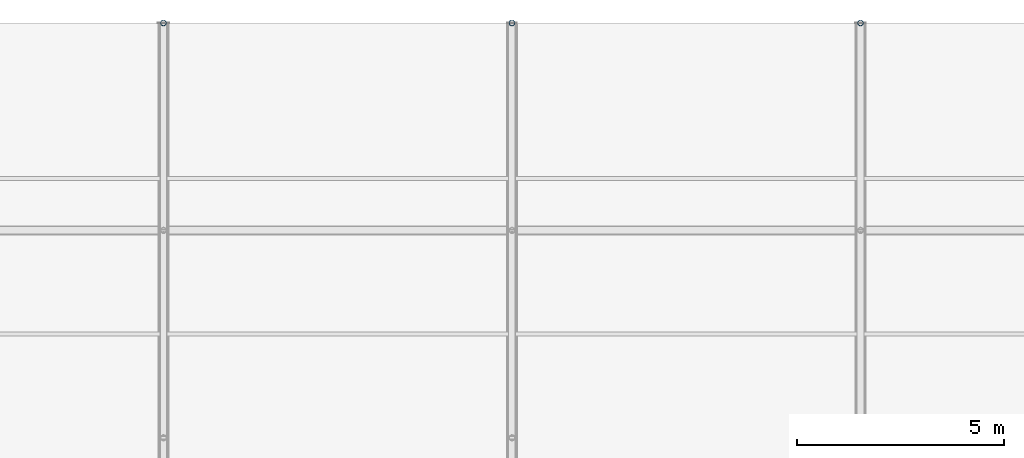
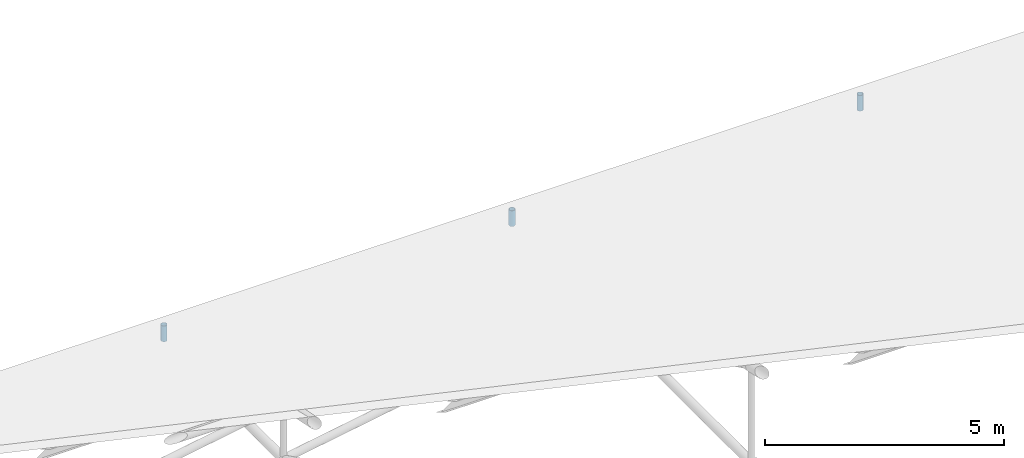
# One storey, part 150 of 194: 3 members.
"""IFC4 building model written with IfcOpenShell, lengths in metres."""

from ifc_helpers import new_model, si_unit, direction, frame, origin, origin_2d, place, context, subcontext, project, spatial, hollow_circle, extrude, material, material_profile, profile_set, type_object, element, save


model = new_model("IFC4")

# Units and contexts
model_context = context("Model", 3, precision=1e-05, world=origin(), true_north=direction((0.0, 1.0)))
body_context = subcontext(model_context, "Body", "Model", "MODEL_VIEW")
ifc_project = project(units=[si_unit("LENGTHUNIT", "METRE"), si_unit("AREAUNIT", "SQUARE_METRE"), si_unit("VOLUMEUNIT", "CUBIC_METRE"), si_unit("PLANEANGLEUNIT", "RADIAN"), si_unit("MASSUNIT", "GRAM", prefix="KILO")], contexts=[model_context])

# Site, building, storey
site_placement = place(None, origin())
site = spatial("IfcSite", under=ifc_project, at=site_placement, CompositionType="ELEMENT")
building_placement = place(site_placement, origin())
building = spatial("IfcBuilding", under=site, at=building_placement, Name="Kazenagashi Tramway Depot", CompositionType="ELEMENT")
storey_placement = place(building_placement, frame((0.0, 0.0, 23.7)))
storey = spatial("IfcBuildingStorey", under=building, at=storey_placement, Name="ROOF", CompositionType="ELEMENT", Elevation=23.7)

# Members
ifc_material = material(Name="Steel STK490", Category="steel")
ifc_material_profile = material_profile(ifc_material, hollow_circle(Radius=0.0699, WallThickness=0.0066, at=origin_2d()), Name="CHS-139.8x6.6")
ifc_profile_set = profile_set([ifc_material_profile], Name="Steel STK490")
member_type = type_object("IfcMemberType", Name="TS-02", PredefinedType="STRUT", material=ifc_profile_set)
for number, where, z_axis, x_axis, name in (
    (1, (95.2, 130.0, -14.1), (0.0, 0.0, 1.0), (1.0, 0.0, 0.0), "Tubular Space Frame TS-02 MEM-0421"),
    (2, (103.6, 130.0, -14.1), (0.0, 0.0, 1.0), (1.0, 0.0, 0.0), "Tubular Space Frame TS-02 MEM-0482"),
    (3, (112.0, 130.0, -14.1), (0.0, 0.0, 1.0), (1.0, 0.0, 0.0), "Tubular Space Frame TS-02 MEM-0543"),
):
    element("IfcMember", number, at=place(storey_placement, frame(where, z_axis=z_axis, x_axis=x_axis)), inside=storey, type_object=member_type, Name=name, PredefinedType="STRUT", context=body_context, shape_type="SweptSolid", body=[
        extrude(hollow_circle(Radius=0.0699, WallThickness=0.0066, at=origin_2d()), origin(), (0.0, 0.0, 1.0), 0.4),
    ])

save(model, "model.ifc")
